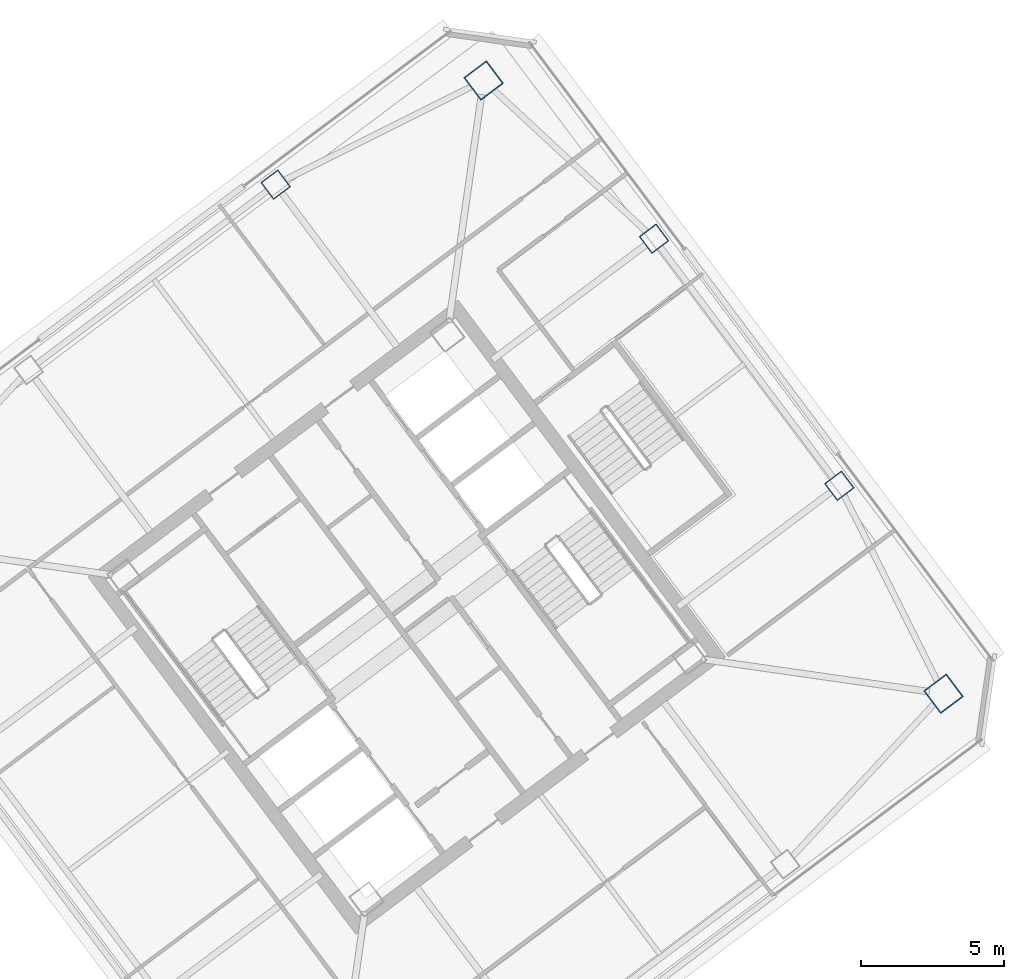
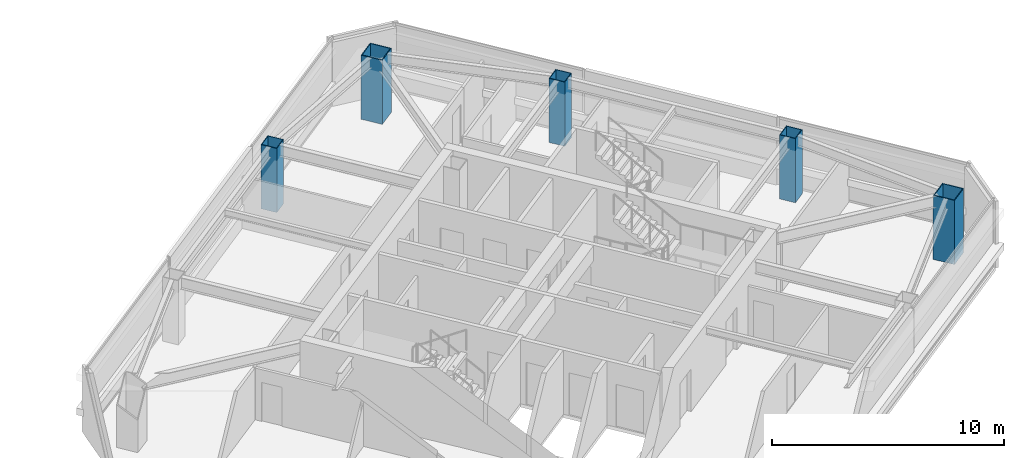
# One storey, part 2 of 39: 5 columns.
"""IFC4 building model written with IfcOpenShell, lengths in metres."""

from ifc_helpers import new_model, si_unit, direction, frame, origin, origin_2d, place, context, subcontext, project, spatial, hollow_rectangle, extrude, material, material_profile, profile_set, type_object, element, save


model = new_model("IFC4")

# Units and contexts
model_context = context("Model", 3, precision=1e-05, world=origin(), true_north=direction((0.0, 1.0)))
body_context = subcontext(model_context, "Body", "Model", "MODEL_VIEW")
ifc_project = project(units=[si_unit("LENGTHUNIT", "METRE"), si_unit("AREAUNIT", "SQUARE_METRE"), si_unit("VOLUMEUNIT", "CUBIC_METRE"), si_unit("PLANEANGLEUNIT", "RADIAN"), si_unit("MASSUNIT", "GRAM", prefix="KILO")], contexts=[model_context])

# Site, building, storey
site_placement = place(None, origin())
site = spatial("IfcSite", under=ifc_project, at=site_placement, CompositionType="ELEMENT")
building_placement = place(site_placement, origin())
building = spatial("IfcBuilding", under=site, at=building_placement, Name="Tashvorn Skyway Center", CompositionType="ELEMENT")
storey_placement = place(building_placement, frame((0.0, 0.0, 207.75)))
storey = spatial("IfcBuildingStorey", under=building, at=storey_placement, Name="L56", CompositionType="ELEMENT", Elevation=207.75)

# Columns
ifc_material = material(Name="Steel ASTM A572 Grade 50", Category="steel")
ifc_material_profile_1 = material_profile(ifc_material, hollow_rectangle(XDim=1.0, YDim=1.0, WallThickness=0.0400390625, at=origin_2d()), Name="BOX1000x1000x40")
ifc_profile_set_1 = profile_set([ifc_material_profile_1], Name="Steel ASTM A572 Grade 50")
column_type_1 = type_object("IfcColumnType", Name="COL-BOX1000x1000x40", PredefinedType="COLUMN", material=ifc_profile_set_1)
for number, where, z_axis, x_axis, name in (
    (1, (132.760009765625, 29.320068359375, 0.0), (0.0, 0.0, 1.0), (0.799999996291, 0.600000004945, 0.0), "Tower 2 L56 Mega-Column MC-SE"),
    (2, (116.679931640625, 50.760009765625, 0.0), (0.0, 0.0, 1.0), (0.799999996291, 0.600000004945, 0.0), "Tower 2 L56 Mega-Column MC-NE"),
):
    element("IfcColumn", number, at=place(storey_placement, frame(where, z_axis=z_axis, x_axis=x_axis)), inside=storey, type_object=column_type_1, Name=name, PredefinedType="COLUMN", context=body_context, shape_type="SweptSolid", body=[
        extrude(hollow_rectangle(XDim=1.0, YDim=1.0, WallThickness=0.0400390625, at=origin_2d()), origin(), (0.0, 0.0, 1.0), 3.3701171875),
    ])
ifc_material_profile_2 = material_profile(ifc_material, hollow_rectangle(XDim=0.75, YDim=0.75, WallThickness=0.031982421875, at=origin_2d()), Name="BOX750x750x32")
ifc_profile_set_2 = profile_set([ifc_material_profile_2], Name="Steel ASTM A572 Grade 50")
column_type_2 = type_object("IfcColumnType", Name="COL-BOX750x750x32", PredefinedType="COLUMN", material=ifc_profile_set_2)
for number, where, z_axis, x_axis, name in (
    (3, (129.1201171875, 36.590087890625, 0.0), (0.0, 0.0, 1.0), (0.799999996291, 0.600000004945, 0.0), "Tower 2 L56 Perimeter Column FC-E1"),
    (4, (122.639892578125, 45.22998046875, 0.0), (0.0, 0.0, 1.0), (0.799999996291, 0.600000004945, 0.0), "Tower 2 L56 Perimeter Column FC-E2"),
    (5, (109.409912109375, 47.1201171875, 0.0), (0.0, 0.0, 1.0), (0.799999996291, 0.600000004945, 0.0), "Tower 2 L56 Perimeter Column FC-N1"),
):
    element("IfcColumn", number, at=place(storey_placement, frame(where, z_axis=z_axis, x_axis=x_axis)), inside=storey, type_object=column_type_2, Name=name, PredefinedType="COLUMN", context=body_context, shape_type="SweptSolid", body=[
        extrude(hollow_rectangle(XDim=0.75, YDim=0.75, WallThickness=0.031982421875, at=origin_2d()), origin(), (0.0, 0.0, 1.0), 3.3701171875),
    ])

save(model, "model.ifc")
